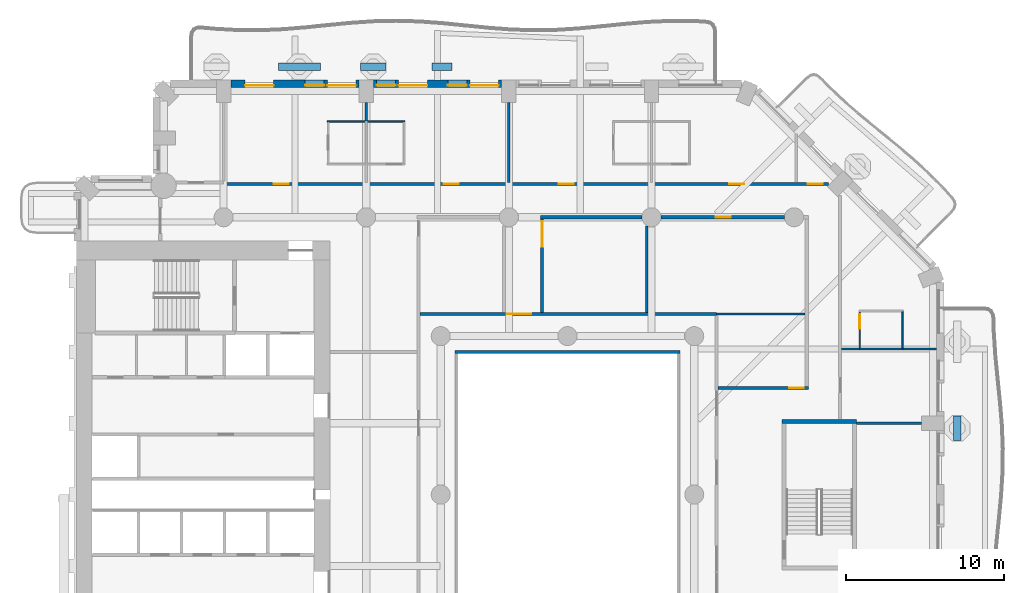
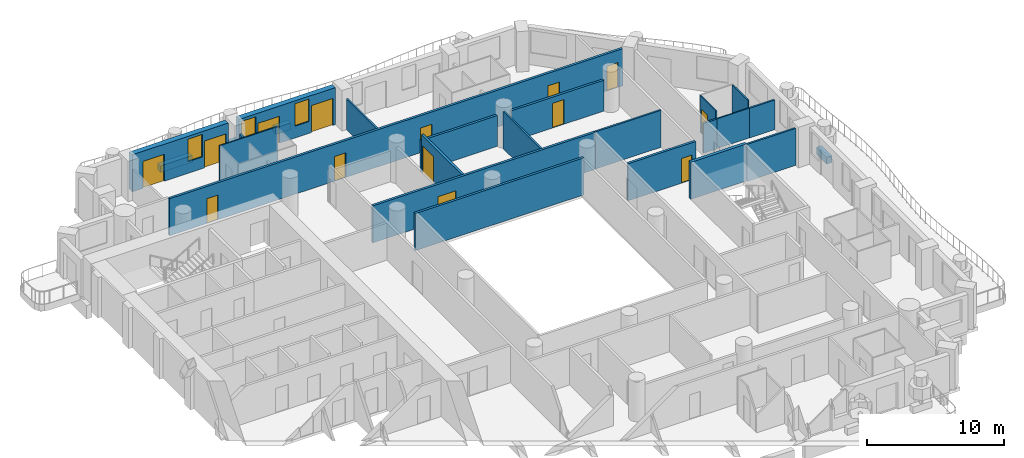
# One storey, part 8 of 20: 25 walls, 14 doors, 3 windows, 17 openings.
"""IFC4 building model written with IfcOpenShell, lengths in metres."""

from ifc_helpers import new_model, si_unit, direction, frame, frame_2d, origin, place, context, subcontext, project, spatial, rectangle, extrude, material, layer, layer_set, type_object, element, fill, save


model = new_model("IFC4")

# Units and contexts
model_context = context("Model", 3, precision=1e-05, world=origin(), true_north=direction((0.0, 1.0)))
body_context = subcontext(model_context, "Body", "Model", "MODEL_VIEW")
ifc_project = project(units=[si_unit("LENGTHUNIT", "METRE"), si_unit("AREAUNIT", "SQUARE_METRE"), si_unit("VOLUMEUNIT", "CUBIC_METRE"), si_unit("PLANEANGLEUNIT", "RADIAN"), si_unit("MASSUNIT", "GRAM", prefix="KILO")], contexts=[model_context])

# Site, building, storey
site_placement = place(None, origin())
site = spatial("IfcSite", under=ifc_project, at=site_placement, CompositionType="ELEMENT")
building_placement = place(site_placement, origin())
building = spatial("IfcBuilding", under=site, at=building_placement, Name="Cypress Arch Tower", CompositionType="ELEMENT")
storey_placement = place(building_placement, frame((0.0, 0.0, 73.5)))
storey = spatial("IfcBuildingStorey", under=building, at=storey_placement, Name="L12", CompositionType="ELEMENT", Elevation=73.5)

# Walls
ifc_material_1 = material(Name="Concrete C40/50, waterproofed", Category="concrete")
ifc_layer_1 = layer(ifc_material_1, 0.449951171875)
ifc_layer_set_1 = layer_set([ifc_layer_1], Name="Balcony planter wall PW450")
wall_type_1 = type_object("IfcWallType", Name="Balcony planter wall PW450", PredefinedType="SOLIDWALL", material=ifc_layer_set_1)
wall_1_placement = place(storey_placement, frame((25.60009765625, 3.42138671875, 0.0), z_axis=(0.0, 0.0, 1.0), x_axis=(0.0, 1.0, 0.0)))
element("IfcWall", 1, at=wall_1_placement, inside=storey, type_object=wall_type_1, Name="Balcony planter wall L12-A06.2", PredefinedType="SOLIDWALL", context=body_context, shape_type="SweptSolid", body=[
    extrude(rectangle(XDim=1.5224609375, YDim=0.449951171875, at=frame_2d((0.76123046875, 0.0))), origin(), (0.0, 0.0, 1.0), 0.60009765625),
])
wall_2_placement = place(storey_placement, frame((-6.300048828125, 27.0, 0.0), z_axis=(0.0, 0.0, 1.0), x_axis=(-1.0, 0.0, 0.0)))
element("IfcWall", 2, at=wall_2_placement, inside=storey, type_object=wall_type_1, Name="Balcony planter wall L12-A08.3", PredefinedType="SOLIDWALL", context=body_context, shape_type="SweptSolid", body=[
    extrude(rectangle(XDim=1.25, YDim=0.449951171875, at=frame_2d((0.625, 0.0))), origin(), (0.0, 0.0, 1.0), 0.60009765625),
])
wall_3_placement = place(storey_placement, frame((-10.4375, 27.0, 0.0), z_axis=(0.0, 0.0, 1.0), x_axis=(-1.0, 0.0, 0.0)))
element("IfcWall", 3, at=wall_3_placement, inside=storey, type_object=wall_type_1, Name="Balcony planter wall L12-A08.4", PredefinedType="SOLIDWALL", context=body_context, shape_type="SweptSolid", body=[
    extrude(rectangle(XDim=1.612548828125, YDim=0.449951171875, at=frame_2d((0.80615234375, 0.0))), origin(), (0.0, 0.0, 1.0), 0.60009765625),
])
wall_4_placement = place(storey_placement, frame((-14.574951171875, 27.0, 0.0), z_axis=(0.0, 0.0, 1.0), x_axis=(-1.0, 0.0, 0.0)))
element("IfcWall", 4, at=wall_4_placement, inside=storey, type_object=wall_type_1, Name="Balcony planter wall L12-A08.5", PredefinedType="SOLIDWALL", context=body_context, shape_type="SweptSolid", body=[
    extrude(rectangle(XDim=2.675048828125, YDim=0.449951171875, at=frame_2d((1.33740234375, 0.0))), origin(), (0.0, 0.0, 1.0), 0.60009765625),
])

# Wall, openings, doors, windows
ifc_material_2 = material(Name="Brick (red buff blend)", Category="masonry")
ifc_layer_2 = layer(ifc_material_2, 0.449951171875)
ifc_layer_set_2 = layer_set([ifc_layer_2], Name="Brick pier and spandrel wall BW450")
wall_type_2 = type_object("IfcWallType", Name="Brick pier and spandrel wall BW450", PredefinedType="SOLIDWALL", material=ifc_layer_set_2)
wall_5_placement = place(storey_placement, frame((-3.14990234375, 25.925048828125, 0.0), z_axis=(0.0, 0.0, 1.0), x_axis=(-1.0, 0.0, 0.0)))
wall_5 = element("IfcWall", 5, at=wall_5_placement, inside=storey, type_object=wall_type_2, Name="Brick wall L12 A08.2", PredefinedType="SOLIDWALL", context=body_context, shape_type="SweptSolid", body=[
    extrude(rectangle(XDim=8.10009765625, YDim=0.449951171875, at=frame_2d((4.050048828125, 0.0))), origin(), (0.0, 0.0, 1.0), 3.300048828125),
])
opening_1_placement = place(wall_5_placement, frame((0.199951171875, 0.0, 0.0)))
opening_1 = element("IfcOpeningElement", 6, at=opening_1_placement, cuts=wall_5, Name="Opening D-L12-A08.2.1", PredefinedType="OPENING", context=body_context, shape_type="SweptSolid", body=[
    extrude(rectangle(XDim=1.800048828125, YDim=2.39990234375, at=frame_2d((0.89990234375, 1.199951171875))), frame((0.0, 0.23486328125, 0.0), z_axis=(0.0, -1.0, 0.0), x_axis=(1.0, 0.0, 0.0)), (0.0, 0.0, 1.0), 0.469970703125),
])
opening_2_placement = place(wall_5_placement, frame((2.199951171875, 0.0, 1.050048828125)))
opening_2 = element("IfcOpeningElement", 7, at=opening_2_placement, cuts=wall_5, Name="Opening W120HD", PredefinedType="OPENING", context=body_context, shape_type="SweptSolid", body=[
    extrude(rectangle(XDim=1.199951171875, YDim=2.0, at=frame_2d((0.60009765625, 1.0))), frame((0.0, 0.23486328125, 0.0), z_axis=(0.0, -1.0, 0.0), x_axis=(1.0, 0.0, 0.0)), (0.0, 0.0, 1.0), 0.469970703125),
])
opening_3_placement = place(wall_5_placement, frame((4.699951171875, 0.0, 0.0)))
opening_3 = element("IfcOpeningElement", 8, at=opening_3_placement, cuts=wall_5, Name="Opening D-L12-A08.2.2", PredefinedType="OPENING", context=body_context, shape_type="SweptSolid", body=[
    extrude(rectangle(XDim=1.800048828125, YDim=2.39990234375, at=frame_2d((0.89990234375, 1.199951171875))), frame((0.0, 0.23486328125, 0.0), z_axis=(0.0, -1.0, 0.0), x_axis=(1.0, 0.0, 0.0)), (0.0, 0.0, 1.0), 0.469970703125),
])
opening_4_placement = place(wall_5_placement, frame((6.699951171875, 0.0, 1.050048828125)))
opening_4 = element("IfcOpeningElement", 9, at=opening_4_placement, cuts=wall_5, Name="Opening W120HD", PredefinedType="OPENING", context=body_context, shape_type="SweptSolid", body=[
    extrude(rectangle(XDim=1.199951171875, YDim=2.0, at=frame_2d((0.60009765625, 1.0))), frame((0.0, 0.23486328125, 0.0), z_axis=(0.0, -1.0, 0.0), x_axis=(1.0, 0.0, 0.0)), (0.0, 0.0, 1.0), 0.469970703125),
])
ifc_material_3 = material(Name="Anodised aluminium, bronze finish, laminated low-emissivity double glazing, large-missile impact rated", Category="aluminium")
door_type_1 = type_object("IfcDoorType", Name="Balcony sliding door 1800x2400", OperationType="SLIDING_TO_LEFT", PredefinedType="DOOR", material=ifc_material_3)
door_1_placement = place(opening_1_placement, origin())
door_1 = element("IfcDoor", 10, at=door_1_placement, inside=storey, type_object=door_type_1, Name="Balcony door L12 A08.2.1", OperationType="SLIDING_TO_LEFT", OverallHeight=2.39990234375, OverallWidth=1.800048828125, PredefinedType="DOOR", context=body_context, shape_type="SweptSolid", body=[
    extrude(rectangle(XDim=1.800048828125, YDim=2.39990234375, at=frame_2d((0.89990234375, 1.199951171875))), frame((0.0, 0.1298828125, 0.0), z_axis=(0.0, -1.0, 0.0), x_axis=(1.0, 0.0, 0.0)), (0.0, 0.0, 1.0), 0.050048828125),
])
fill(opening_1, door_1)
door_2_placement = place(opening_3_placement, origin())
door_2 = element("IfcDoor", 11, at=door_2_placement, inside=storey, type_object=door_type_1, Name="Balcony door L12 A08.2.2", OperationType="SLIDING_TO_LEFT", OverallHeight=2.39990234375, OverallWidth=1.800048828125, PredefinedType="DOOR", context=body_context, shape_type="SweptSolid", body=[
    extrude(rectangle(XDim=1.800048828125, YDim=2.39990234375, at=frame_2d((0.89990234375, 1.199951171875))), frame((0.0, 0.1298828125, 0.0), z_axis=(0.0, -1.0, 0.0), x_axis=(1.0, 0.0, 0.0)), (0.0, 0.0, 1.0), 0.050048828125),
])
fill(opening_3, door_2)
ifc_material_4 = material(Name="Anodised aluminium, bronze finish, laminated low-emissivity double glazing, large-missile impact rated", Category="aluminium")
window_type = type_object("IfcWindowType", Name="Window Hotel 1200x2000 debris-rated", PartitioningType="SINGLE_PANEL", PredefinedType="WINDOW", material=ifc_material_4)
window_1_placement = place(opening_2_placement, origin())
window_1 = element("IfcWindow", 12, at=window_1_placement, inside=storey, type_object=window_type, Name="Window L12 A08.2.1", OverallHeight=2.0, OverallWidth=1.199951171875, PartitioningType="SINGLE_PANEL", PredefinedType="WINDOW", context=body_context, shape_type="SweptSolid", body=[
    extrude(rectangle(XDim=1.199951171875, YDim=2.0, at=frame_2d((0.60009765625, 1.0))), frame((0.0, 0.135009765625, 0.0), z_axis=(0.0, -1.0, 0.0), x_axis=(1.0, 0.0, 0.0)), (0.0, 0.0, 1.0), 0.06005859375),
])
fill(opening_2, window_1)
window_2_placement = place(opening_4_placement, origin())
window_2 = element("IfcWindow", 13, at=window_2_placement, inside=storey, type_object=window_type, Name="Window L12 A08.2.2", OverallHeight=2.0, OverallWidth=1.199951171875, PartitioningType="SINGLE_PANEL", PredefinedType="WINDOW", context=body_context, shape_type="SweptSolid", body=[
    extrude(rectangle(XDim=1.199951171875, YDim=2.0, at=frame_2d((0.60009765625, 1.0))), frame((0.0, 0.135009765625, 0.0), z_axis=(0.0, -1.0, 0.0), x_axis=(1.0, 0.0, 0.0)), (0.0, 0.0, 1.0), 0.06005859375),
])
fill(opening_4, window_2)

# Wall, openings, doors, window
wall_6_placement = place(storey_placement, frame((-12.14990234375, 25.925048828125, 0.0), z_axis=(0.0, 0.0, 1.0), x_axis=(-1.0, 0.0, 0.0)))
wall_6 = element("IfcWall", 14, at=wall_6_placement, inside=storey, type_object=wall_type_2, Name="Brick wall L12 A08.3", PredefinedType="SOLIDWALL", context=body_context, shape_type="SweptSolid", body=[
    extrude(rectangle(XDim=8.10009765625, YDim=0.449951171875, at=frame_2d((4.050048828125, 0.0))), origin(), (0.0, 0.0, 1.0), 3.300048828125),
])
opening_5_placement = place(wall_6_placement, frame((0.199951171875, 0.0, 0.0)))
opening_5 = element("IfcOpeningElement", 15, at=opening_5_placement, cuts=wall_6, Name="Opening D-L12-A08.3.1", PredefinedType="OPENING", context=body_context, shape_type="SweptSolid", body=[
    extrude(rectangle(XDim=1.800048828125, YDim=2.39990234375, at=frame_2d((0.89990234375, 1.199951171875))), frame((0.0, 0.23486328125, 0.0), z_axis=(0.0, -1.0, 0.0), x_axis=(1.0, 0.0, 0.0)), (0.0, 0.0, 1.0), 0.469970703125),
])
opening_6_placement = place(wall_6_placement, frame((2.199951171875, 0.0, 1.050048828125)))
opening_6 = element("IfcOpeningElement", 16, at=opening_6_placement, cuts=wall_6, Name="Opening W120HD", PredefinedType="OPENING", context=body_context, shape_type="SweptSolid", body=[
    extrude(rectangle(XDim=1.199951171875, YDim=2.0, at=frame_2d((0.60009765625, 1.0))), frame((0.0, 0.23486328125, 0.0), z_axis=(0.0, -1.0, 0.0), x_axis=(1.0, 0.0, 0.0)), (0.0, 0.0, 1.0), 0.469970703125),
])
opening_7_placement = place(wall_6_placement, frame((5.39990234375, 0.0, 0.0)))
opening_7 = element("IfcOpeningElement", 17, at=opening_7_placement, cuts=wall_6, Name="Opening D-L12-A08.3.2", PredefinedType="OPENING", context=body_context, shape_type="SweptSolid", body=[
    extrude(rectangle(XDim=1.800048828125, YDim=2.39990234375, at=frame_2d((0.89990234375, 1.199951171875))), frame((0.0, 0.23486328125, 0.0), z_axis=(0.0, -1.0, 0.0), x_axis=(1.0, 0.0, 0.0)), (0.0, 0.0, 1.0), 0.469970703125),
])
door_3_placement = place(opening_5_placement, origin())
door_3 = element("IfcDoor", 18, at=door_3_placement, inside=storey, type_object=door_type_1, Name="Balcony door L12 A08.3.1", OperationType="SLIDING_TO_LEFT", OverallHeight=2.39990234375, OverallWidth=1.800048828125, PredefinedType="DOOR", context=body_context, shape_type="SweptSolid", body=[
    extrude(rectangle(XDim=1.800048828125, YDim=2.39990234375, at=frame_2d((0.89990234375, 1.199951171875))), frame((0.0, 0.1298828125, 0.0), z_axis=(0.0, -1.0, 0.0), x_axis=(1.0, 0.0, 0.0)), (0.0, 0.0, 1.0), 0.050048828125),
])
fill(opening_5, door_3)
door_4_placement = place(opening_7_placement, origin())
door_4 = element("IfcDoor", 19, at=door_4_placement, inside=storey, type_object=door_type_1, Name="Balcony door L12 A08.3.2", OperationType="SLIDING_TO_LEFT", OverallHeight=2.39990234375, OverallWidth=1.800048828125, PredefinedType="DOOR", context=body_context, shape_type="SweptSolid", body=[
    extrude(rectangle(XDim=1.800048828125, YDim=2.39990234375, at=frame_2d((0.89990234375, 1.199951171875))), frame((0.0, 0.1298828125, 0.0), z_axis=(0.0, -1.0, 0.0), x_axis=(1.0, 0.0, 0.0)), (0.0, 0.0, 1.0), 0.050048828125),
])
fill(opening_7, door_4)
window_3_placement = place(opening_6_placement, origin())
window_3 = element("IfcWindow", 20, at=window_3_placement, inside=storey, type_object=window_type, Name="Window L12 A08.3.1", OverallHeight=2.0, OverallWidth=1.199951171875, PartitioningType="SINGLE_PANEL", PredefinedType="WINDOW", context=body_context, shape_type="SweptSolid", body=[
    extrude(rectangle(XDim=1.199951171875, YDim=2.0, at=frame_2d((0.60009765625, 1.0))), frame((0.0, 0.135009765625, 0.0), z_axis=(0.0, -1.0, 0.0), x_axis=(1.0, 0.0, 0.0)), (0.0, 0.0, 1.0), 0.06005859375),
])
fill(opening_6, window_3)

# Wall, openings, doors
ifc_material_5 = material(Name="Concrete blockwork, plastered, rated", Category="masonry")
ifc_layer_3 = layer(ifc_material_5, 0.199951171875)
ifc_layer_set_3 = layer_set([ifc_layer_3], Name="Corridor wall FW200")
wall_type_3 = type_object("IfcWallType", Name="Corridor wall FW200", PredefinedType="PARTITIONING", material=ifc_layer_set_3)
wall_7_placement = place(storey_placement, frame((-20.699951171875, 19.60009765625, 0.0), z_axis=(0.0, 0.0, 1.0), x_axis=(1.0, 0.0, 0.0)))
wall_7 = element("IfcWall", 21, at=wall_7_placement, inside=storey, type_object=wall_type_3, Name="Corridor wall", PredefinedType="PARTITIONING", context=body_context, shape_type="SweptSolid", body=[
    extrude(rectangle(XDim=38.18359375, YDim=0.199951171875, at=frame_2d((19.091796875, 0.0))), origin(), (0.0, 0.0, 1.0), 3.300048828125),
])
opening_8_placement = place(wall_7_placement, frame((3.14990234375, 0.0, 0.0)))
opening_8 = element("IfcOpeningElement", 22, at=opening_8_placement, cuts=wall_7, Name="Opening D02", PredefinedType="OPENING", context=body_context, shape_type="SweptSolid", body=[
    extrude(rectangle(XDim=0.949951171875, YDim=2.199951171875, at=frame_2d((0.47509765625, 1.10009765625))), frame((0.0, 0.10986328125, 0.0), z_axis=(0.0, -1.0, 0.0), x_axis=(1.0, 0.0, 0.0)), (0.0, 0.0, 1.0), 0.219970703125),
])
opening_9_placement = place(wall_7_placement, frame((13.89990234375, 0.0, 0.0)))
opening_9 = element("IfcOpeningElement", 23, at=opening_9_placement, cuts=wall_7, Name="Opening D02", PredefinedType="OPENING", context=body_context, shape_type="SweptSolid", body=[
    extrude(rectangle(XDim=0.949951171875, YDim=2.199951171875, at=frame_2d((0.47509765625, 1.10009765625))), frame((0.0, 0.10986328125, 0.0), z_axis=(0.0, -1.0, 0.0), x_axis=(1.0, 0.0, 0.0)), (0.0, 0.0, 1.0), 0.219970703125),
])
opening_10_placement = place(wall_7_placement, frame((21.14990234375, 0.0, 0.0)))
opening_10 = element("IfcOpeningElement", 24, at=opening_10_placement, cuts=wall_7, Name="Opening D02", PredefinedType="OPENING", context=body_context, shape_type="SweptSolid", body=[
    extrude(rectangle(XDim=0.949951171875, YDim=2.199951171875, at=frame_2d((0.47509765625, 1.10009765625))), frame((0.0, 0.10986328125, 0.0), z_axis=(0.0, -1.0, 0.0), x_axis=(1.0, 0.0, 0.0)), (0.0, 0.0, 1.0), 0.219970703125),
])
opening_11_placement = place(wall_7_placement, frame((31.89990234375, 0.0, 0.0)))
opening_11 = element("IfcOpeningElement", 25, at=opening_11_placement, cuts=wall_7, Name="Opening D02", PredefinedType="OPENING", context=body_context, shape_type="SweptSolid", body=[
    extrude(rectangle(XDim=0.949951171875, YDim=2.199951171875, at=frame_2d((0.47509765625, 1.10009765625))), frame((0.0, 0.10986328125, 0.0), z_axis=(0.0, -1.0, 0.0), x_axis=(1.0, 0.0, 0.0)), (0.0, 0.0, 1.0), 0.219970703125),
])
opening_12_placement = place(wall_7_placement, frame((36.85009765625, 0.0, 0.0)))
opening_12 = element("IfcOpeningElement", 26, at=opening_12_placement, cuts=wall_7, Name="Opening D02", PredefinedType="OPENING", context=body_context, shape_type="SweptSolid", body=[
    extrude(rectangle(XDim=0.949951171875, YDim=2.199951171875, at=frame_2d((0.47509765625, 1.10009765625))), frame((0.0, 0.10986328125, 0.0), z_axis=(0.0, -1.0, 0.0), x_axis=(1.0, 0.0, 0.0)), (0.0, 0.0, 1.0), 0.219970703125),
])
ifc_material_6 = material(Name="Timber flush door, fire resisting", Category="wood")
door_type_2 = type_object("IfcDoorType", Name="Room door D02 950x2200", OperationType="SINGLE_SWING_LEFT", PredefinedType="DOOR", material=ifc_material_6)
door_5_placement = place(opening_8_placement, origin())
door_5 = element("IfcDoor", 27, at=door_5_placement, inside=storey, type_object=door_type_2, Name="Room door", OperationType="SINGLE_SWING_LEFT", OverallHeight=2.199951171875, OverallWidth=0.949951171875, PredefinedType="DOOR", context=body_context, shape_type="SweptSolid", body=[
    extrude(rectangle(XDim=0.949951171875, YDim=2.199951171875, at=frame_2d((0.47509765625, 1.10009765625))), frame((0.0, 0.02490234375, 0.0), z_axis=(0.0, -1.0, 0.0), x_axis=(1.0, 0.0, 0.0)), (0.0, 0.0, 1.0), 0.050048828125),
])
fill(opening_8, door_5)
door_6_placement = place(opening_9_placement, origin())
door_6 = element("IfcDoor", 28, at=door_6_placement, inside=storey, type_object=door_type_2, Name="Room door", OperationType="SINGLE_SWING_LEFT", OverallHeight=2.199951171875, OverallWidth=0.949951171875, PredefinedType="DOOR", context=body_context, shape_type="SweptSolid", body=[
    extrude(rectangle(XDim=0.949951171875, YDim=2.199951171875, at=frame_2d((0.47509765625, 1.10009765625))), frame((0.0, 0.02490234375, 0.0), z_axis=(0.0, -1.0, 0.0), x_axis=(1.0, 0.0, 0.0)), (0.0, 0.0, 1.0), 0.050048828125),
])
fill(opening_9, door_6)
door_7_placement = place(opening_10_placement, origin())
door_7 = element("IfcDoor", 29, at=door_7_placement, inside=storey, type_object=door_type_2, Name="Room door", OperationType="SINGLE_SWING_RIGHT", OverallHeight=2.199951171875, OverallWidth=0.949951171875, PredefinedType="DOOR", context=body_context, shape_type="SweptSolid", body=[
    extrude(rectangle(XDim=0.949951171875, YDim=2.199951171875, at=frame_2d((0.47509765625, 1.10009765625))), frame((0.0, 0.02490234375, 0.0), z_axis=(0.0, -1.0, 0.0), x_axis=(1.0, 0.0, 0.0)), (0.0, 0.0, 1.0), 0.050048828125),
])
fill(opening_10, door_7)
door_8_placement = place(opening_11_placement, origin())
door_8 = element("IfcDoor", 30, at=door_8_placement, inside=storey, type_object=door_type_2, Name="Room door", OperationType="SINGLE_SWING_RIGHT", OverallHeight=2.199951171875, OverallWidth=0.949951171875, PredefinedType="DOOR", context=body_context, shape_type="SweptSolid", body=[
    extrude(rectangle(XDim=0.949951171875, YDim=2.199951171875, at=frame_2d((0.47509765625, 1.10009765625))), frame((0.0, 0.02490234375, 0.0), z_axis=(0.0, -1.0, 0.0), x_axis=(1.0, 0.0, 0.0)), (0.0, 0.0, 1.0), 0.050048828125),
])
fill(opening_11, door_8)
door_9_placement = place(opening_12_placement, origin())
door_9 = element("IfcDoor", 31, at=door_9_placement, inside=storey, type_object=door_type_2, Name="Room door", OperationType="SINGLE_SWING_LEFT", OverallHeight=2.199951171875, OverallWidth=0.949951171875, PredefinedType="DOOR", context=body_context, shape_type="SweptSolid", body=[
    extrude(rectangle(XDim=0.949951171875, YDim=2.199951171875, at=frame_2d((0.47509765625, 1.10009765625))), frame((0.0, 0.02490234375, 0.0), z_axis=(0.0, -1.0, 0.0), x_axis=(1.0, 0.0, 0.0)), (0.0, 0.0, 1.0), 0.050048828125),
])
fill(opening_12, door_9)

# Wall, opening, door
wall_8_placement = place(storey_placement, frame((-8.300048828125, 11.39990234375, 0.0), z_axis=(0.0, 0.0, 1.0), x_axis=(1.0, 0.0, 0.0)))
wall_8 = element("IfcWall", 32, at=wall_8_placement, inside=storey, type_object=wall_type_3, Name="Corridor wall", PredefinedType="PARTITIONING", context=body_context, shape_type="SweptSolid", body=[
    extrude(rectangle(XDim=18.699951171875, YDim=0.199951171875, at=frame_2d((9.35009765625, 0.0))), origin(), (0.0, 0.0, 1.0), 3.300048828125),
])
opening_13_placement = place(wall_8_placement, frame((5.5, 0.0, 0.0)))
opening_13 = element("IfcOpeningElement", 33, at=opening_13_placement, cuts=wall_8, Name="Opening D04", PredefinedType="OPENING", context=body_context, shape_type="SweptSolid", body=[
    extrude(rectangle(XDim=1.5, YDim=2.199951171875, at=frame_2d((0.75, 1.10009765625))), frame((0.0, 0.10986328125, 0.0), z_axis=(0.0, -1.0, 0.0), x_axis=(1.0, 0.0, 0.0)), (0.0, 0.0, 1.0), 0.219970703125),
])
ifc_material_7 = material(Name="Timber double door", Category="wood")
door_type_3 = type_object("IfcDoorType", Name="Double door D04 1500x2200", OperationType="DOUBLE_DOOR_SINGLE_SWING", PredefinedType="DOOR", material=ifc_material_7)
door_10_placement = place(opening_13_placement, origin())
door_10 = element("IfcDoor", 34, at=door_10_placement, inside=storey, type_object=door_type_3, Name="Double door", OperationType="DOUBLE_DOOR_SINGLE_SWING", OverallHeight=2.199951171875, OverallWidth=1.5, PredefinedType="DOOR", context=body_context, shape_type="SweptSolid", body=[
    extrude(rectangle(XDim=1.5, YDim=2.199951171875, at=frame_2d((0.75, 1.10009765625))), frame((0.0, 0.02490234375, 0.0), z_axis=(0.0, -1.0, 0.0), x_axis=(1.0, 0.0, 0.0)), (0.0, 0.0, 1.0), 0.050048828125),
])
fill(opening_13, door_10)

# Wall
wall_9_placement = place(storey_placement, frame((-6.10009765625, 9.0, 0.0), z_axis=(0.0, 0.0, 1.0), x_axis=(1.0, 0.0, 0.0)))
element("IfcWall", 35, at=wall_9_placement, inside=storey, type_object=wall_type_3, Name="Corridor wall", PredefinedType="PARTITIONING", context=body_context, shape_type="SweptSolid", body=[
    extrude(rectangle(XDim=14.2001953125, YDim=0.199951171875, at=frame_2d((7.10009765625, 0.0))), origin(), (0.0, 0.0, 1.0), 3.300048828125),
])

# Wall, opening, door
wall_10_placement = place(storey_placement, frame((-0.60009765625, 11.5, 0.0), z_axis=(0.0, 0.0, 1.0), x_axis=(0.0, 1.0, 0.0)))
wall_10 = element("IfcWall", 36, at=wall_10_placement, inside=storey, type_object=wall_type_3, Name="Corridor wall", PredefinedType="PARTITIONING", context=body_context, shape_type="SweptSolid", body=[
    extrude(rectangle(XDim=5.89990234375, YDim=0.199951171875, at=frame_2d((2.949951171875, 0.0))), origin(), (0.0, 0.0, 1.0), 3.300048828125),
])
opening_14_placement = place(wall_10_placement, frame((4.14990234375, 0.0, 0.0)))
opening_14 = element("IfcOpeningElement", 37, at=opening_14_placement, cuts=wall_10, Name="Opening D10", PredefinedType="OPENING", context=body_context, shape_type="SweptSolid", body=[
    extrude(rectangle(XDim=1.60009765625, YDim=2.39990234375, at=frame_2d((0.800048828125, 1.199951171875))), frame((0.0, 0.10986328125, 0.0), z_axis=(0.0, -1.0, 0.0), x_axis=(1.0, 0.0, 0.0)), (0.0, 0.0, 1.0), 0.219970703125),
])
ifc_material_8 = material(Name="Black aluminium glazed door", Category="aluminium")
door_type_4 = type_object("IfcDoorType", Name="Amenity door D10 1600x2400", OperationType="DOUBLE_DOOR_SINGLE_SWING", PredefinedType="DOOR", material=ifc_material_8)
door_11_placement = place(opening_14_placement, origin())
door_11 = element("IfcDoor", 38, at=door_11_placement, inside=storey, type_object=door_type_4, Name="Amenity door", OperationType="DOUBLE_DOOR_SINGLE_SWING", OverallHeight=2.39990234375, OverallWidth=1.60009765625, PredefinedType="DOOR", context=body_context, shape_type="SweptSolid", body=[
    extrude(rectangle(XDim=1.60009765625, YDim=2.39990234375, at=frame_2d((0.800048828125, 1.199951171875))), frame((0.0, 0.02490234375, 0.0), z_axis=(0.0, -1.0, 0.0), x_axis=(1.0, 0.0, 0.0)), (0.0, 0.0, 1.0), 0.050048828125),
])
fill(opening_14, door_11)

# Wall
wall_11_placement = place(storey_placement, frame((-0.699951171875, 17.5, 0.0), z_axis=(0.0, 0.0, 1.0), x_axis=(1.0, 0.0, 0.0)))
element("IfcWall", 39, at=wall_11_placement, inside=storey, type_object=wall_type_3, Name="Corridor wall", PredefinedType="PARTITIONING", context=body_context, shape_type="SweptSolid", body=[
    extrude(rectangle(XDim=6.39990234375, YDim=0.199951171875, at=frame_2d((3.199951171875, 0.0))), origin(), (0.0, 0.0, 1.0), 2.75),
])

# Wall, opening, door
wall_12_placement = place(storey_placement, frame((6.89990234375, 17.5, 0.0), z_axis=(0.0, 0.0, 1.0), x_axis=(1.0, 0.0, 0.0)))
wall_12 = element("IfcWall", 40, at=wall_12_placement, inside=storey, type_object=wall_type_3, Name="Corridor wall", PredefinedType="PARTITIONING", context=body_context, shape_type="SweptSolid", body=[
    extrude(rectangle(XDim=7.800048828125, YDim=0.199951171875, at=frame_2d((3.89990234375, 0.0))), origin(), (0.0, 0.0, 1.0), 2.75),
])
opening_15_placement = place(wall_12_placement, frame((3.449951171875, 0.0, 0.0)))
opening_15 = element("IfcOpeningElement", 41, at=opening_15_placement, cuts=wall_12, Name="Opening D02", PredefinedType="OPENING", context=body_context, shape_type="SweptSolid", body=[
    extrude(rectangle(XDim=0.949951171875, YDim=2.199951171875, at=frame_2d((0.47509765625, 1.10009765625))), frame((0.0, 0.10986328125, 0.0), z_axis=(0.0, -1.0, 0.0), x_axis=(1.0, 0.0, 0.0)), (0.0, 0.0, 1.0), 0.219970703125),
])
door_12_placement = place(opening_15_placement, origin())
door_12 = element("IfcDoor", 42, at=door_12_placement, inside=storey, type_object=door_type_2, Name="Room door", OperationType="SINGLE_SWING_LEFT", OverallHeight=2.199951171875, OverallWidth=0.949951171875, PredefinedType="DOOR", context=body_context, shape_type="SweptSolid", body=[
    extrude(rectangle(XDim=0.949951171875, YDim=2.199951171875, at=frame_2d((0.47509765625, 1.10009765625))), frame((0.0, 0.02490234375, 0.0), z_axis=(0.0, -1.0, 0.0), x_axis=(1.0, 0.0, 0.0)), (0.0, 0.0, 1.0), 0.050048828125),
])
fill(opening_15, door_12)

wall_13_placement = place(storey_placement, frame((10.5, 6.72509765625, 0.0), z_axis=(0.0, 0.0, 1.0), x_axis=(1.0, 0.0, 0.0)))
wall_13 = element("IfcWall", 43, at=wall_13_placement, inside=storey, type_object=wall_type_3, Name="Corridor wall", PredefinedType="PARTITIONING", context=body_context, shape_type="SweptSolid", body=[
    extrude(rectangle(XDim=5.699951171875, YDim=0.199951171875, at=frame_2d((2.85009765625, 0.0))), origin(), (0.0, 0.0, 1.0), 3.300048828125),
])
opening_16_placement = place(wall_13_placement, frame((4.5, 0.0, 0.0)))
opening_16 = element("IfcOpeningElement", 44, at=opening_16_placement, cuts=wall_13, Name="Opening D05", PredefinedType="OPENING", context=body_context, shape_type="SweptSolid", body=[
    extrude(rectangle(XDim=0.89990234375, YDim=2.199951171875, at=frame_2d((0.449951171875, 1.10009765625))), frame((0.0, 0.10986328125, 0.0), z_axis=(0.0, -1.0, 0.0), x_axis=(1.0, 0.0, 0.0)), (0.0, 0.0, 1.0), 0.219970703125),
])
ifc_material_9 = material(Name="Timber flush door", Category="wood")
door_type_5 = type_object("IfcDoorType", Name="Service door D05 900x2200", OperationType="SINGLE_SWING_LEFT", PredefinedType="DOOR", material=ifc_material_9)
door_13_placement = place(opening_16_placement, origin())
door_13 = element("IfcDoor", 45, at=door_13_placement, inside=storey, type_object=door_type_5, Name="Service door", OperationType="SINGLE_SWING_RIGHT", OverallHeight=2.199951171875, OverallWidth=0.89990234375, PredefinedType="DOOR", context=body_context, shape_type="SweptSolid", body=[
    extrude(rectangle(XDim=0.89990234375, YDim=2.199951171875, at=frame_2d((0.449951171875, 1.10009765625))), frame((0.0, 0.02490234375, 0.0), z_axis=(0.0, -1.0, 0.0), x_axis=(1.0, 0.0, 0.0)), (0.0, 0.0, 1.0), 0.050048828125),
])
fill(opening_16, door_13)

# Walls
ifc_material_10 = material(Name="Blockwork, plastered both sides", Category="masonry")
ifc_layer_4 = layer(ifc_material_10, 0.14990234375)
ifc_layer_set_4 = layer_set([ifc_layer_4], Name="Partition PW150")
wall_type_4 = type_object("IfcWallType", Name="Partition PW150", PredefinedType="PARTITIONING", material=ifc_layer_set_4)
wall_14_placement = place(storey_placement, frame((-11.699951171875, 23.570068359375, 0.0), z_axis=(0.0, 0.0, 1.0), x_axis=(0.0, 1.0, 0.0)))
element("IfcWall", 46, at=wall_14_placement, inside=storey, type_object=wall_type_4, Name="Partition", PredefinedType="PARTITIONING", context=body_context, shape_type="SweptSolid", body=[
    extrude(rectangle(XDim=1.179931640625, YDim=0.14990234375, at=frame_2d((0.58984375, 0.0))), origin(), (0.0, 0.0, 1.0), 2.75),
])
wall_15_placement = place(storey_placement, frame((-2.699951171875, 19.699951171875, 0.0), z_axis=(0.0, 0.0, 1.0), x_axis=(0.0, 1.0, 0.0)))
element("IfcWall", 47, at=wall_15_placement, inside=storey, type_object=wall_type_4, Name="Partition", PredefinedType="PARTITIONING", context=body_context, shape_type="SweptSolid", body=[
    extrude(rectangle(XDim=5.050048828125, YDim=0.14990234375, at=frame_2d((2.52490234375, 0.0))), origin(), (0.0, 0.0, 1.0), 2.75),
])
wall_16_placement = place(storey_placement, frame((6.0, 11.5, 0.0), z_axis=(0.0, 0.0, 1.0), x_axis=(0.0, 1.0, 0.0)))
element("IfcWall", 48, at=wall_16_placement, inside=storey, type_object=wall_type_4, Name="Partition", PredefinedType="PARTITIONING", context=body_context, shape_type="SweptSolid", body=[
    extrude(rectangle(XDim=5.453369140625, YDim=0.14990234375, at=frame_2d((2.7265625, 0.0))), origin(), (0.0, 0.0, 1.0), 3.300048828125),
])
wall_17_placement = place(storey_placement, frame((10.39990234375, 11.39990234375, 0.0), z_axis=(0.0, 0.0, 1.0), x_axis=(1.0, 0.0, 0.0)))
element("IfcWall", 49, at=wall_17_placement, inside=storey, type_object=wall_type_4, Name="Partition", PredefinedType="PARTITIONING", context=body_context, shape_type="SweptSolid", body=[
    extrude(rectangle(XDim=5.60009765625, YDim=0.14990234375, at=frame_2d((2.800048828125, 0.0))), origin(), (0.0, 0.0, 1.0), 3.300048828125),
])
wall_18_placement = place(storey_placement, frame((18.300048828125, 9.18994140625, 0.0), z_axis=(0.0, 0.0, 1.0), x_axis=(1.0, 0.0, 0.0)))
element("IfcWall", 50, at=wall_18_placement, inside=storey, type_object=wall_type_4, Name="Partition", PredefinedType="PARTITIONING", context=body_context, shape_type="SweptSolid", body=[
    extrude(rectangle(XDim=1.1298828125, YDim=0.14990234375, at=frame_2d((0.56494140625, 0.0))), origin(), (0.0, 0.0, 1.0), 2.64990234375),
])
wall_19_placement = place(storey_placement, frame((19.25, 4.5, 0.0), z_axis=(0.0, 0.0, 1.0), x_axis=(1.0, 0.0, 0.0)))
element("IfcWall", 51, at=wall_19_placement, inside=storey, type_object=wall_type_4, Name="Partition", PredefinedType="PARTITIONING", context=body_context, shape_type="SweptSolid", body=[
    extrude(rectangle(XDim=4.10009765625, YDim=0.14990234375, at=frame_2d((2.050048828125, 0.0))), origin(), (0.0, 0.0, 1.0), 3.300048828125),
])
wall_20_placement = place(storey_placement, frame((22.169921875, 9.18994140625, 0.0), z_axis=(0.0, 0.0, 1.0), x_axis=(1.0, 0.0, 0.0)))
element("IfcWall", 52, at=wall_20_placement, inside=storey, type_object=wall_type_4, Name="Partition", PredefinedType="PARTITIONING", context=body_context, shape_type="SweptSolid", body=[
    extrude(rectangle(XDim=2.130126953125, YDim=0.14990234375, at=frame_2d((1.06494140625, 0.0))), origin(), (0.0, 0.0, 1.0), 2.64990234375),
])
ifc_material_11 = material(Name="Concrete C50/60", Category="concrete")
ifc_layer_5 = layer(ifc_material_11, 0.25)
ifc_layer_set_5 = layer_set([ifc_layer_5], Name="Stair enclosure wall SW250")
wall_type_5 = type_object("IfcWallType", Name="Stair enclosure wall SW250", PredefinedType="SHEAR", material=ifc_layer_set_5)
wall_21_placement = place(storey_placement, frame((14.550048828125, 4.625, 0.0), z_axis=(0.0, 0.0, 1.0), x_axis=(1.0, 0.0, 0.0)))
element("IfcWall", 53, at=wall_21_placement, inside=storey, type_object=wall_type_5, Name="Stair enclosure wall", PredefinedType="SHEAR", context=body_context, shape_type="SweptSolid", body=[
    extrude(rectangle(XDim=4.699951171875, YDim=0.25, at=frame_2d((2.35009765625, 0.0))), origin(), (0.0, 0.0, 1.0), 3.300048828125),
])
ifc_material_12 = material(Name="Moisture resistant board on steel studs, tiled", Category="steel")
ifc_layer_6 = layer(ifc_material_12, 0.10009765625)
ifc_layer_set_6 = layer_set([ifc_layer_6], Name="Wet wall PW100")
wall_type_6 = type_object("IfcWallType", Name="Wet wall PW100", PredefinedType="PARTITIONING", material=ifc_layer_set_6)
wall_22_placement = place(storey_placement, frame((-14.14599609375, 23.550048828125, 0.0), z_axis=(0.0, 0.0, 1.0), x_axis=(1.0, 0.0, 0.0)))
element("IfcWall", 54, at=wall_22_placement, inside=storey, type_object=wall_type_6, Name="Wet wall", PredefinedType="PARTITIONING", context=body_context, shape_type="SweptSolid", body=[
    extrude(rectangle(XDim=4.89208984375, YDim=0.10009765625, at=frame_2d((2.446044921875, 0.0))), origin(), (0.0, 0.0, 1.0), 3.300048828125),
])
wall_23_placement = place(storey_placement, frame((19.429931640625, 9.18994140625, 0.0), z_axis=(0.0, 0.0, 1.0), x_axis=(1.0, 0.0, 0.0)))
element("IfcWall", 55, at=wall_23_placement, inside=storey, type_object=wall_type_6, Name="Wet wall", PredefinedType="PARTITIONING", context=body_context, shape_type="SweptSolid", body=[
    extrude(rectangle(XDim=2.739990234375, YDim=0.10009765625, at=frame_2d((1.3701171875, 0.0))), origin(), (0.0, 0.0, 1.0), 2.64990234375),
])

# Wall, opening, door
wall_24_placement = place(storey_placement, frame((19.449951171875, 9.264892578125, 0.0), z_axis=(0.0, 0.0, 1.0), x_axis=(0.0, 1.0, 0.0)))
wall_24 = element("IfcWall", 56, at=wall_24_placement, inside=storey, type_object=wall_type_6, Name="Wet wall", PredefinedType="PARTITIONING", context=body_context, shape_type="SweptSolid", body=[
    extrude(rectangle(XDim=2.27099609375, YDim=0.10009765625, at=frame_2d((1.135498046875, 0.0))), origin(), (0.0, 0.0, 1.0), 3.300048828125),
])
opening_17_placement = place(wall_24_placement, frame((1.199951171875, 0.0, 0.0)))
opening_17 = element("IfcOpeningElement", 57, at=opening_17_placement, cuts=wall_24, Name="Opening D03", PredefinedType="OPENING", context=body_context, shape_type="SweptSolid", body=[
    extrude(rectangle(XDim=0.89990234375, YDim=2.199951171875, at=frame_2d((0.449951171875, 1.10009765625))), frame((0.0, 0.06005859375, 0.0), z_axis=(0.0, -1.0, 0.0), x_axis=(1.0, 0.0, 0.0)), (0.0, 0.0, 1.0), 0.1201171875),
])
ifc_material_13 = material(Name="Timber flush door, moisture resistant", Category="wood")
door_type_6 = type_object("IfcDoorType", Name="Bathroom door D03 900x2200", OperationType="SINGLE_SWING_LEFT", PredefinedType="DOOR", material=ifc_material_13)
door_14_placement = place(opening_17_placement, origin())
door_14 = element("IfcDoor", 58, at=door_14_placement, inside=storey, type_object=door_type_6, Name="Bathroom door", OperationType="SINGLE_SWING_LEFT", OverallHeight=2.199951171875, OverallWidth=0.89990234375, PredefinedType="DOOR", context=body_context, shape_type="SweptSolid", body=[
    extrude(rectangle(XDim=0.89990234375, YDim=2.199951171875, at=frame_2d((0.449951171875, 1.10009765625))), frame((0.0, 0.02490234375, 0.0), z_axis=(0.0, -1.0, 0.0), x_axis=(1.0, 0.0, 0.0)), (0.0, 0.0, 1.0), 0.050048828125),
])
fill(opening_17, door_14)

# Wall
wall_25_placement = place(storey_placement, frame((22.14990234375, 9.239990234375, 0.0), z_axis=(0.0, 0.0, 1.0), x_axis=(0.0, 1.0, 0.0)))
element("IfcWall", 59, at=wall_25_placement, inside=storey, type_object=wall_type_6, Name="Wet wall", PredefinedType="PARTITIONING", context=body_context, shape_type="SweptSolid", body=[
    extrude(rectangle(XDim=2.2958984375, YDim=0.10009765625, at=frame_2d((1.14794921875, 0.0))), origin(), (0.0, 0.0, 1.0), 3.300048828125),
])

save(model, "model.ifc")
